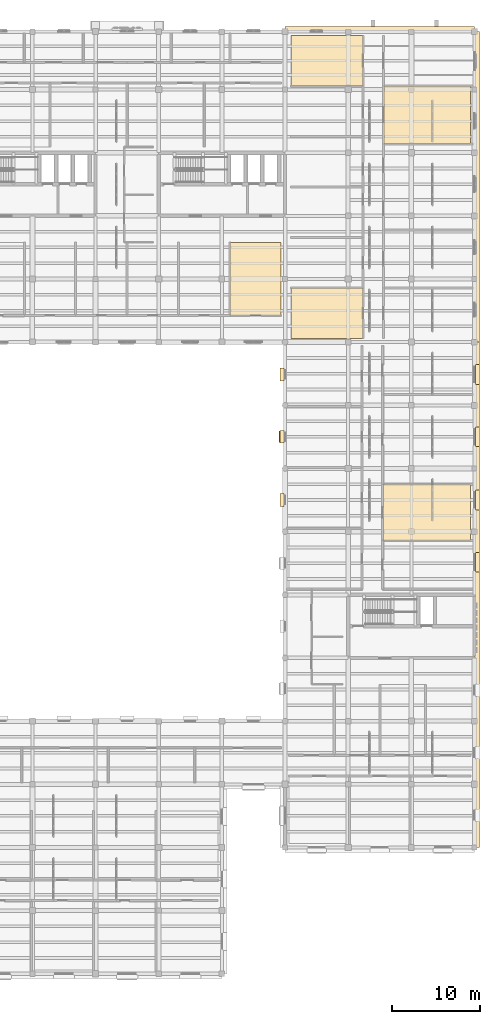
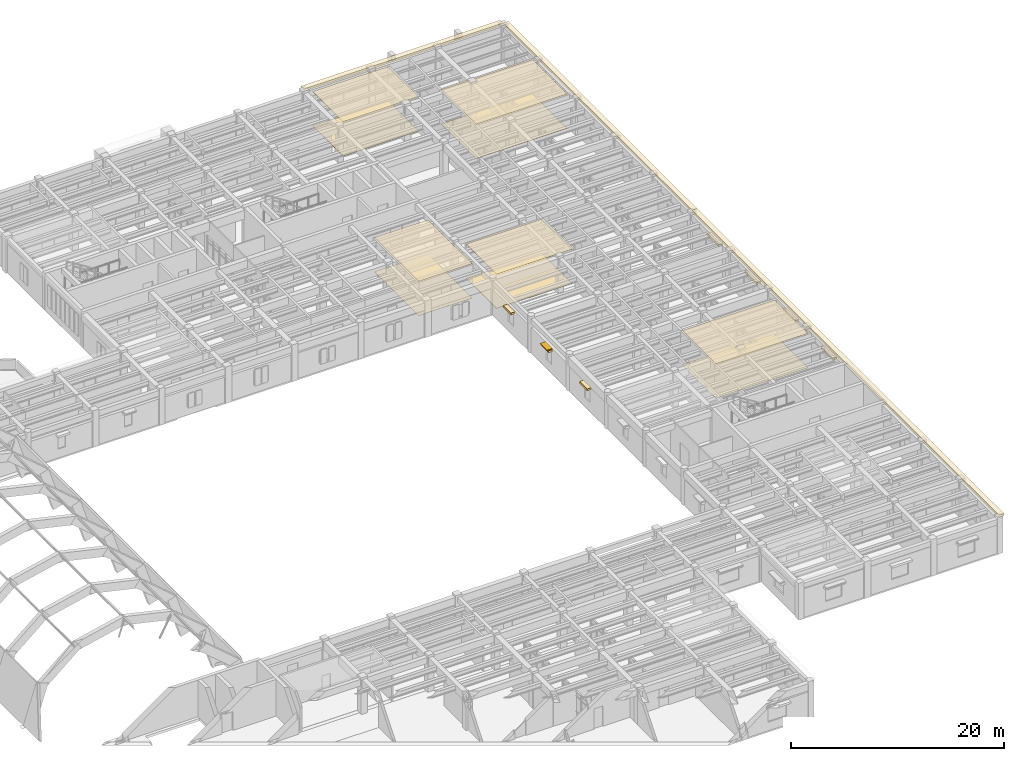
# One storey, part 66 of 66: 20 coverings, 1 shading device.
"""IFC4 building model written with IfcOpenShell, lengths in metres."""

from ifc_helpers import new_model, si_unit, direction, frame, origin, origin_2d, place, context, subcontext, project, spatial, polyline, rectangle, outline, extrude, material, layer, layer_set, type_object, element, save


model = new_model("IFC4")

# Units and contexts
model_context = context("Model", 3, precision=1e-05, world=origin(), true_north=direction((0.0, 1.0)))
body_context = subcontext(model_context, "Body", "Model", "MODEL_VIEW")
ifc_project = project(units=[si_unit("LENGTHUNIT", "METRE"), si_unit("AREAUNIT", "SQUARE_METRE"), si_unit("VOLUMEUNIT", "CUBIC_METRE"), si_unit("PLANEANGLEUNIT", "RADIAN"), si_unit("MASSUNIT", "GRAM", prefix="KILO")], contexts=[model_context])

# Site, building, storey
site_placement = place(None, origin())
site = spatial("IfcSite", under=ifc_project, at=site_placement, CompositionType="ELEMENT")
building_placement = place(site_placement, origin())
building = spatial("IfcBuilding", under=site, at=building_placement, Name="Mithqara Police Headquarters", CompositionType="ELEMENT")
storey_placement = place(building_placement, frame((0.0, 0.0, 9.60009765625)))
storey = spatial("IfcBuildingStorey", under=building, at=storey_placement, Name="L02", CompositionType="ELEMENT", Elevation=9.60009765625)

# Coverings
ifc_material_1 = material(Name="Acoustic mineral-fibre ceiling tile", Category="gypsum")
ifc_layer_1 = layer(ifc_material_1, 0.02490234375, Name="Acoustic mineral-fibre ceiling tile")
ifc_layer_set_1 = layer_set([ifc_layer_1], Name="Acoustic mineral-fibre ceiling tile")
covering_type_1 = type_object("IfcCoveringType", Name="ACOUSTIC CEILING TILE", PredefinedType="CEILING", material=ifc_layer_set_1)
covering_1_placement = place(storey_placement, frame((0.0, 0.0, 3.914794921875)))
element("IfcCovering", 1, at=covering_1_placement, inside=storey, type_object=covering_type_1, Name="Public Affairs Coordination Office Acoustic Ceiling", PredefinedType="CEILING", context=body_context, shape_type="SweptSolid", body=[
    extrude(outline(polyline([(138.340087890625, 81.659912109375), (144.159912109375, 81.659912109375), (144.159912109375, 89.97998046875), (138.340087890625, 89.97998046875), (138.340087890625, 81.659912109375)])), origin(), (0.0, 0.0, 1.0), 0.025146484375),
])
covering_2_placement = place(storey_placement, frame((0.0, 0.0, 3.914794921875)))
element("IfcCovering", 2, at=covering_2_placement, inside=storey, type_object=covering_type_1, Name="Emergency Preparedness Suite Acoustic Ceiling", PredefinedType="CEILING", context=body_context, shape_type="SweptSolid", body=[
    extrude(outline(polyline([(145.27001953125, 79.0400390625), (153.47509765625, 79.0400390625), (153.47509765625, 84.760009765625), (145.27001953125, 84.760009765625), (145.27001953125, 79.0400390625)])), origin(), (0.0, 0.0, 1.0), 0.025146484375),
])
covering_3_placement = place(storey_placement, frame((0.0, 0.0, 3.914794921875)))
element("IfcCovering", 3, at=covering_3_placement, inside=storey, type_object=covering_type_1, Name="Emergency Preparedness Suite Acoustic Ceiling", PredefinedType="CEILING", context=body_context, shape_type="SweptSolid", body=[
    extrude(outline(polyline([(145.27001953125, 107.840087890625), (153.47509765625, 107.840087890625), (153.47509765625, 113.56005859375), (145.27001953125, 113.56005859375), (145.27001953125, 107.840087890625)])), origin(), (0.0, 0.0, 1.0), 0.025146484375),
])
covering_4_placement = place(storey_placement, frame((0.0, 0.0, 3.914794921875)))
element("IfcCovering", 4, at=covering_4_placement, inside=storey, type_object=covering_type_1, Name="Emergency Preparedness Suite Acoustic Ceiling", PredefinedType="CEILING", context=body_context, shape_type="SweptSolid", body=[
    extrude(outline(polyline([(155.85498046875, 101.22998046875), (165.760009765625, 101.22998046875), (165.760009765625, 107.800048828125), (155.85498046875, 107.800048828125), (155.85498046875, 101.22998046875)])), origin(), (0.0, 0.0, 1.0), 0.025146484375),
])
covering_5_placement = place(storey_placement, frame((0.0, 0.0, 3.914794921875)))
element("IfcCovering", 5, at=covering_5_placement, inside=storey, type_object=covering_type_1, Name="Ballistics Laboratory Acoustic Ceiling", PredefinedType="CEILING", context=body_context, shape_type="SweptSolid", body=[
    extrude(outline(polyline([(155.739990234375, 56.01611328125), (165.760009765625, 56.01611328125), (165.760009765625, 62.3720703125), (155.739990234375, 62.3720703125), (155.739990234375, 56.01611328125)])), origin(), (0.0, 0.0, 1.0), 0.025146484375),
])
ifc_material_2 = material(Name="Limestone ashlar masonry, 45 MPa", Category="masonry")
ifc_layer_2 = layer(ifc_material_2, 0.320068359375, Name="Limestone ashlar masonry, 45 MPa")
ifc_layer_set_2 = layer_set([ifc_layer_2], Name="Limestone ashlar masonry, 45 MPa")
covering_type_2 = type_object("IfcCoveringType", Name="CORNICE LIMESTONE", PredefinedType="CLADDING", material=ifc_layer_set_2)
covering_6_placement = place(storey_placement, frame((166.47998046875, 49.800048828125, 3.919921875), z_axis=(0.0, 0.0, 1.0), x_axis=(0.0, 1.0, 0.0)))
element("IfcCovering", 6, at=covering_6_placement, inside=storey, type_object=covering_type_2, Name="L02 Projecting Ottoman Limestone Eaves Cornice 7", PredefinedType="CLADDING", context=body_context, shape_type="SweptSolid", body=[
    extrude(rectangle(XDim=57.60009765625, YDim=0.56005859375, at=origin_2d()), origin(), (0.0, 0.0, 1.0), 0.280029296875),
])
covering_7_placement = place(storey_placement, frame((166.47998046875, 96.300048828125, 3.919921875), z_axis=(0.0, 0.0, 1.0), x_axis=(0.0, 1.0, 0.0)))
element("IfcCovering", 7, at=covering_7_placement, inside=storey, type_object=covering_type_2, Name="L02 Projecting Ottoman Limestone Eaves Cornice 8", PredefinedType="CLADDING", context=body_context, shape_type="SweptSolid", body=[
    extrude(rectangle(XDim=35.39990234375, YDim=0.56005859375, at=origin_2d()), origin(), (0.0, 0.0, 1.0), 0.280029296875),
])
covering_8_placement = place(storey_placement, frame((155.39990234375, 114.280029296875, 3.919921875), z_axis=(0.0, 0.0, 1.0), x_axis=(1.0, 0.0, 0.0)))
element("IfcCovering", 8, at=covering_8_placement, inside=storey, type_object=covering_type_2, Name="L02 Projecting Ottoman Limestone Eaves Cornice 9", PredefinedType="CLADDING", context=body_context, shape_type="SweptSolid", body=[
    extrude(rectangle(XDim=21.60009765625, YDim=0.56005859375, at=origin_2d()), origin(), (0.0, 0.0, 1.0), 0.280029296875),
])

# Shading device
ifc_material_3 = material(Name="Bronze anodised aluminium 6063-T6", Category="aluminium")
shading_device_type = type_object("IfcShadingDeviceType", Name="SOLAR LOUVRE BRONZE", PredefinedType="JALOUSIE", material=ifc_material_3)
shading_device_placement = place(storey_placement, frame((144.18994140625, 67.800048828125, 2.829833984375), z_axis=(0.0, 0.0, 1.0), x_axis=(0.0, 1.0, 0.0)))
element("IfcShadingDevice", 9, at=shading_device_placement, inside=storey, type_object=shading_device_type, Name="L02 Window Solar Louvre Hood 5.5", PredefinedType="JALOUSIE", context=body_context, shape_type="SweptSolid", body=[
    extrude(rectangle(XDim=1.300048828125, YDim=0.60009765625, at=origin_2d()), origin(), (0.0, 0.0, 1.0), 0.10009765625),
])

# Coverings
ifc_material_4 = material(Name="Polished limestone terrazzo flooring", Category="masonry")
ifc_layer_3 = layer(ifc_material_4, 0.02001953125, Name="Polished limestone terrazzo flooring")
ifc_layer_set_3 = layer_set([ifc_layer_3], Name="Polished limestone terrazzo flooring")
covering_type_3 = type_object("IfcCoveringType", Name="TERRAZZO FLOOR FINISH", PredefinedType="FLOORING", material=ifc_layer_set_3)
covering_9_placement = place(storey_placement, origin())
element("IfcCovering", 10, at=covering_9_placement, inside=storey, type_object=covering_type_3, Name="Public Affairs Coordination Office Terrazzo Floor Finish", PredefinedType="FLOORING", context=body_context, shape_type="SweptSolid", body=[
    extrude(outline(polyline([(138.340087890625, 81.659912109375), (144.159912109375, 81.659912109375), (144.159912109375, 89.97998046875), (138.340087890625, 89.97998046875), (138.340087890625, 81.659912109375)])), origin(), (0.0, 0.0, 1.0), 0.02001953125),
])
covering_10_placement = place(storey_placement, origin())
element("IfcCovering", 11, at=covering_10_placement, inside=storey, type_object=covering_type_3, Name="Emergency Preparedness Suite Terrazzo Floor Finish", PredefinedType="FLOORING", context=body_context, shape_type="SweptSolid", body=[
    extrude(outline(polyline([(145.27001953125, 79.0400390625), (153.47509765625, 79.0400390625), (153.47509765625, 84.760009765625), (145.27001953125, 84.760009765625), (145.27001953125, 79.0400390625)])), origin(), (0.0, 0.0, 1.0), 0.02001953125),
])
covering_11_placement = place(storey_placement, origin())
element("IfcCovering", 12, at=covering_11_placement, inside=storey, type_object=covering_type_3, Name="Emergency Preparedness Suite Terrazzo Floor Finish", PredefinedType="FLOORING", context=body_context, shape_type="SweptSolid", body=[
    extrude(outline(polyline([(145.27001953125, 107.840087890625), (153.47509765625, 107.840087890625), (153.47509765625, 113.56005859375), (145.27001953125, 113.56005859375), (145.27001953125, 107.840087890625)])), origin(), (0.0, 0.0, 1.0), 0.02001953125),
])
covering_12_placement = place(storey_placement, origin())
element("IfcCovering", 13, at=covering_12_placement, inside=storey, type_object=covering_type_3, Name="Emergency Preparedness Suite Terrazzo Floor Finish", PredefinedType="FLOORING", context=body_context, shape_type="SweptSolid", body=[
    extrude(outline(polyline([(155.85498046875, 101.22998046875), (165.760009765625, 101.22998046875), (165.760009765625, 107.800048828125), (155.85498046875, 107.800048828125), (155.85498046875, 101.22998046875)])), origin(), (0.0, 0.0, 1.0), 0.02001953125),
])
covering_13_placement = place(storey_placement, origin())
element("IfcCovering", 14, at=covering_13_placement, inside=storey, type_object=covering_type_3, Name="Ballistics Laboratory Terrazzo Floor Finish", PredefinedType="FLOORING", context=body_context, shape_type="SweptSolid", body=[
    extrude(outline(polyline([(155.739990234375, 56.01611328125), (165.760009765625, 56.01611328125), (165.760009765625, 62.3720703125), (155.739990234375, 62.3720703125), (155.739990234375, 56.01611328125)])), origin(), (0.0, 0.0, 1.0), 0.02001953125),
])
ifc_layer_4 = layer(ifc_material_2, 0.239990234375, Name="Limestone ashlar masonry, 45 MPa")
ifc_layer_set_4 = layer_set([ifc_layer_4], Name="Limestone ashlar masonry, 45 MPa")
covering_type_4 = type_object("IfcCoveringType", Name="WINDOW HOOD LIMESTONE", PredefinedType="CLADDING", material=ifc_layer_set_4)
for number, where, z_axis, x_axis, name in (
    (15, (166.550048828125, 53.4951171875, 2.8701171875), (0.0, 0.0, 1.0), (0.0, 1.0, 0.0), "L02 Limestone Window Architrave Hood 7.1"),
    (16, (166.550048828125, 60.60009765625, 2.8701171875), (0.0, 0.0, 1.0), (0.0, 1.0, 0.0), "L02 Limestone Window Architrave Hood 7.2"),
    (17, (166.550048828125, 67.800048828125, 2.8701171875), (0.0, 0.0, 1.0), (0.0, 1.0, 0.0), "L02 Limestone Window Architrave Hood 7.3"),
    (18, (166.550048828125, 74.919921875, 2.8701171875), (0.0, 0.0, 1.0), (0.0, 1.0, 0.0), "L02 Limestone Window Architrave Hood 7.4"),
):
    element("IfcCovering", number, at=place(storey_placement, frame(where, z_axis=z_axis, x_axis=x_axis)), inside=storey, type_object=covering_type_4, Name=name, PredefinedType="CLADDING", context=body_context, shape_type="SweptSolid", body=[
        extrude(rectangle(XDim=2.239990234375, YDim=0.4599609375, at=origin_2d()), origin(), (0.0, 0.0, 1.0), 0.219970703125),
    ])
for number, where, z_axis, x_axis, name in (
    (19, (144.25, 60.60009765625, 2.6201171875), (0.0, 0.0, 1.0), (0.0, 1.0, 0.0), "L02 Limestone Window Architrave Hood 5.4"),
    (20, (144.25, 67.800048828125, 2.6201171875), (0.0, 0.0, 1.0), (0.0, 1.0, 0.0), "L02 Limestone Window Architrave Hood 5.5"),
    (21, (144.25, 74.919921875, 2.6201171875), (0.0, 0.0, 1.0), (0.0, 1.0, 0.0), "L02 Limestone Window Architrave Hood 5.6"),
):
    element("IfcCovering", number, at=place(storey_placement, frame(where, z_axis=z_axis, x_axis=x_axis)), inside=storey, type_object=covering_type_4, Name=name, PredefinedType="CLADDING", context=body_context, shape_type="SweptSolid", body=[
        extrude(rectangle(XDim=1.43994140625, YDim=0.4599609375, at=origin_2d()), origin(), (0.0, 0.0, 1.0), 0.219970703125),
    ])

save(model, "model.ifc")
